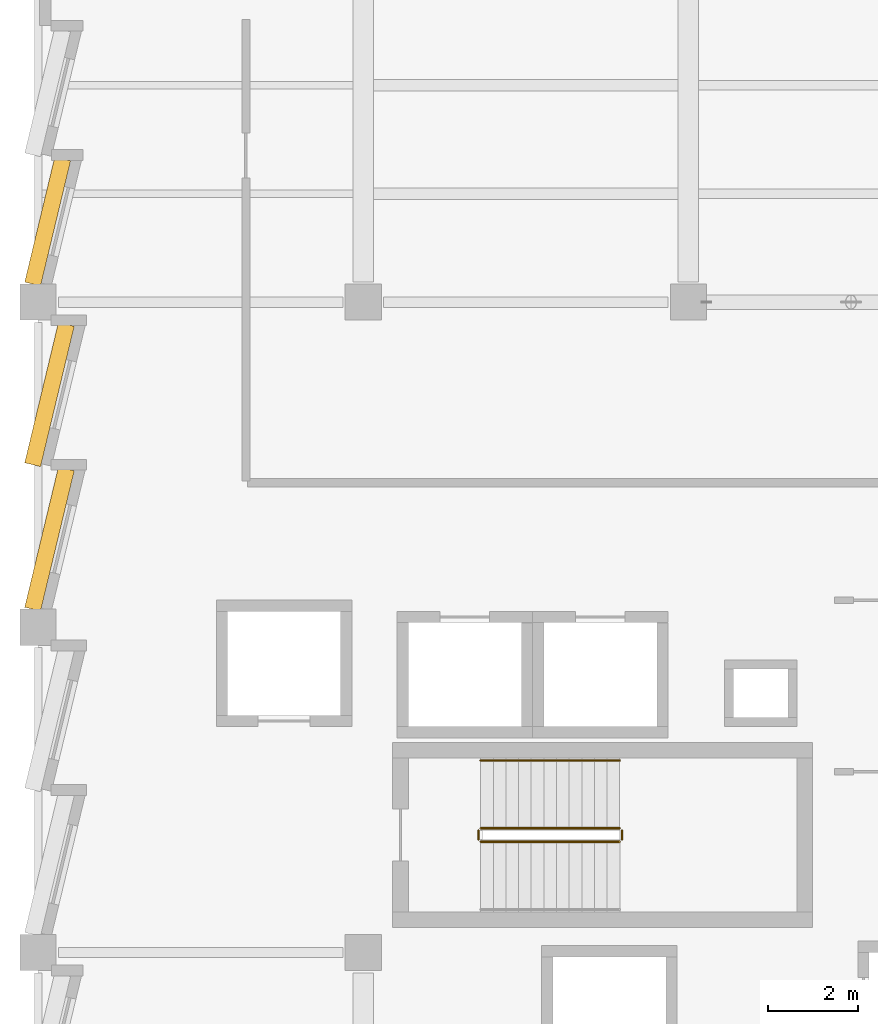
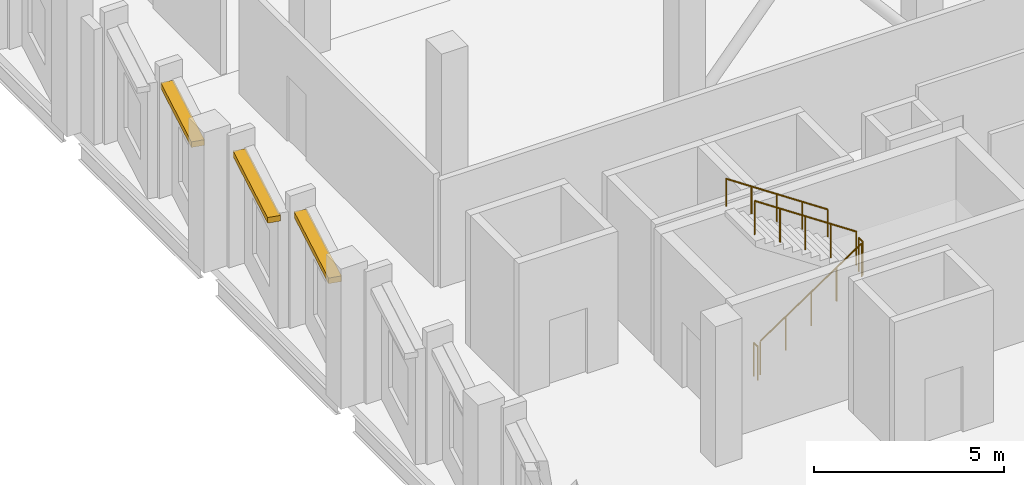
# One storey, part 106 of 123: 5 railings, 3 shading devices.
"""IFC4 building model written with IfcOpenShell, lengths in metres."""

from ifc_helpers import new_model, si_unit, direction, frame, origin, origin_2d, place, context, subcontext, project, spatial, rectangle, circle, extrude, material, layer, layer_set, type_object, element, save


model = new_model("IFC4")

# Units and contexts
model_context = context("Model", 3, precision=1e-05, world=origin(), true_north=direction((0.0, 1.0)))
body_context = subcontext(model_context, "Body", "Model", "MODEL_VIEW")
ifc_project = project(units=[si_unit("LENGTHUNIT", "METRE"), si_unit("AREAUNIT", "SQUARE_METRE"), si_unit("VOLUMEUNIT", "CUBIC_METRE"), si_unit("PLANEANGLEUNIT", "RADIAN"), si_unit("MASSUNIT", "GRAM", prefix="KILO")], contexts=[model_context])

# Site, building, storey
site_placement = place(None, origin())
site = spatial("IfcSite", under=ifc_project, at=site_placement, CompositionType="ELEMENT")
building_placement = place(site_placement, origin())
building = spatial("IfcBuilding", under=site, at=building_placement, Name="Kalmorath City Hall", CompositionType="ELEMENT")
storey_placement = place(building_placement, frame((0.0, 0.0, 10.199951171875)))
storey = spatial("IfcBuildingStorey", under=building, at=storey_placement, Name="L02", CompositionType="ELEMENT", Elevation=10.199951171875)

# Shading devices
ifc_material_1 = material(Name="Precast concrete C40/50", Category="concrete")
ifc_layer = layer(ifc_material_1, 0.179931640625)
ifc_layer_set = layer_set([ifc_layer], Name="Precast concrete C40/50")
shading_device_type = type_object("IfcShadingDeviceType", Name="Precast sawtooth brow sunshade 350", PredefinedType="USERDEFINED", material=ifc_layer_set)
for number, where, z_axis, x_axis, name in (
    (1, (0.2529296875, 23.55419921875, 3.48583984375), (0.0, 0.0, 1.0), (0.233445363856, 0.972369920398, 0.0), "L02 precast sawtooth hood #191"),
    (2, (0.2529296875, 26.75341796875, 3.48583984375), (0.0, 0.0, 1.0), (0.233445363856, 0.972369920398, 0.0), "L02 precast sawtooth hood #192"),
):
    element("IfcShadingDevice", number, at=place(storey_placement, frame(where, z_axis=z_axis, x_axis=x_axis)), inside=storey, type_object=shading_device_type, Name=name, ObjectType="SUNSHADE", PredefinedType="USERDEFINED", context=body_context, shape_type="SweptSolid", body=[
        extrude(rectangle(XDim=3.19482421875, YDim=0.360107421875, at=origin_2d()), origin(), (0.0, 0.0, 1.0), 0.179931640625),
    ])
shading_device_placement = place(storey_placement, frame((0.212158203125, 30.584228515625, 3.48583984375), z_axis=(0.0, 0.0, 1.0), x_axis=(0.233445363856, 0.972369920398, 0.0)))
element("IfcShadingDevice", 3, at=shading_device_placement, inside=storey, type_object=shading_device_type, Name="L02 precast sawtooth hood #193", ObjectType="SUNSHADE", PredefinedType="USERDEFINED", context=body_context, shape_type="SweptSolid", body=[
    extrude(rectangle(XDim=2.84521484375, YDim=0.360107421875, at=origin_2d()), origin(), (0.0, 0.0, 1.0), 0.179931640625),
])

# Railings
ifc_material_2 = material(Name="Painted steel guardrail", Category="steel")
railing_type_1 = type_object("IfcRailingType", Name="Protected stair guardrail 1100", PredefinedType="GUARDRAIL", material=ifc_material_2)
railing_1_placement = place(storey_placement, frame((9.800048828125, 16.85009765625, 0.1875)))
element("IfcRailing", 4, at=railing_1_placement, inside=storey, type_object=railing_type_1, Name="L02 ST-1 stair guard 1", PredefinedType="GUARDRAIL", context=body_context, shape_type="SweptSolid", body=[
    extrude(circle(Radius=0.02392578125, at=origin_2d()), frame((0.0, 0.0, 1.076171875), z_axis=(0.830893310487, 0.0, 0.556431762742), x_axis=(0.0, 1.0, 0.0)), (0.0, 0.0, 1.0), 3.70654296875),
    extrude(circle(Radius=0.02099609375, at=origin_2d()), origin(), (0.0, 0.0, 1.0), 1.052001953125),
    extrude(circle(Radius=0.02099609375, at=origin_2d()), frame((0.77001953125, 0.0, 0.515625)), (0.0, 0.0, 1.0), 1.052001953125),
    extrude(circle(Radius=0.02099609375, at=origin_2d()), frame((1.5400390625, 0.0, 1.03125)), (0.0, 0.0, 1.0), 1.052001953125),
    extrude(circle(Radius=0.02099609375, at=origin_2d()), frame((2.309814453125, 0.0, 1.546875)), (0.0, 0.0, 1.0), 1.052001953125),
    extrude(circle(Radius=0.02099609375, at=origin_2d()), frame((3.079833984375, 0.0, 2.0625)), (0.0, 0.0, 1.0), 1.052001953125),
])
railing_2_placement = place(storey_placement, frame((12.929931640625, 16.89990234375, 2.25)))
element("IfcRailing", 5, at=railing_2_placement, inside=storey, type_object=railing_type_1, Name="L02 ST-1 stair guard 2", PredefinedType="GUARDRAIL", context=body_context, shape_type="SweptSolid", body=[
    extrude(circle(Radius=0.02392578125, at=origin_2d()), frame((0.0, 0.0, 1.076171875), z_axis=(0.0, 1.0, 0.0), x_axis=(-1.0, 0.0, 0.0)), (0.0, 0.0, 1.0), 0.2001953125),
    extrude(circle(Radius=0.02099609375, at=origin_2d()), origin(), (0.0, 0.0, 1.0), 1.052001953125),
    extrude(circle(Radius=0.02099609375, at=origin_2d()), frame((0.0, 0.2001953125, 0.0)), (0.0, 0.0, 1.0), 1.052001953125),
])
railing_3_placement = place(storey_placement, frame((12.8798828125, 17.14990234375, 2.4375)))
element("IfcRailing", 6, at=railing_3_placement, inside=storey, type_object=railing_type_1, Name="L02 ST-1 stair guard 3", PredefinedType="GUARDRAIL", context=body_context, shape_type="SweptSolid", body=[
    extrude(circle(Radius=0.02392578125, at=origin_2d()), frame((0.0, 0.0, 1.076171875), z_axis=(-0.830893310487, 0.0, 0.556431762742), x_axis=(0.0, -1.0, 0.0)), (0.0, 0.0, 1.0), 3.70654296875),
    extrude(circle(Radius=0.02099609375, at=origin_2d()), origin(), (0.0, 0.0, 1.0), 1.052001953125),
    extrude(circle(Radius=0.02099609375, at=origin_2d()), frame((-0.77001953125, 0.0, 0.515625)), (0.0, 0.0, 1.0), 1.052001953125),
    extrude(circle(Radius=0.02099609375, at=origin_2d()), frame((-1.5400390625, 0.0, 1.03125)), (0.0, 0.0, 1.0), 1.052001953125),
    extrude(circle(Radius=0.02099609375, at=origin_2d()), frame((-2.309814453125, 0.0, 1.546875)), (0.0, 0.0, 1.0), 1.052001953125),
    extrude(circle(Radius=0.02099609375, at=origin_2d()), frame((-3.079833984375, 0.0, 2.0625)), (0.0, 0.0, 1.0), 1.052001953125),
])
railing_4_placement = place(storey_placement, frame((9.75, 16.89990234375, 0.0)))
element("IfcRailing", 7, at=railing_4_placement, inside=storey, type_object=railing_type_1, Name="L02 ST-1 stair guard 4", PredefinedType="GUARDRAIL", context=body_context, shape_type="SweptSolid", body=[
    extrude(circle(Radius=0.02392578125, at=origin_2d()), frame((0.0, 0.0, 1.076171875), z_axis=(0.0, 1.0, 0.0), x_axis=(-1.0, 0.0, 0.0)), (0.0, 0.0, 1.0), 0.2001953125),
    extrude(circle(Radius=0.02099609375, at=origin_2d()), origin(), (0.0, 0.0, 1.0), 1.052001953125),
    extrude(circle(Radius=0.02099609375, at=origin_2d()), frame((0.0, 0.2001953125, 0.0)), (0.0, 0.0, 1.0), 1.052001953125),
])
ifc_material_3 = material(Name="Brushed stainless steel handrail", Category="steel")
railing_type_2 = type_object("IfcRailingType", Name="Stair pitch handrail 900", PredefinedType="HANDRAIL", material=ifc_material_3)
railing_5_placement = place(storey_placement, frame((12.8798828125, 18.64990234375, 2.4375)))
element("IfcRailing", 8, at=railing_5_placement, inside=storey, type_object=railing_type_2, Name="L02 ST-1 stair handrail 2", PredefinedType="HANDRAIL", context=body_context, shape_type="SweptSolid", body=[
    extrude(circle(Radius=0.02392578125, at=origin_2d()), frame((0.0, 0.0, 0.8759765625), z_axis=(-0.830893310487, 0.0, 0.556431762742), x_axis=(0.0, -1.0, 0.0)), (0.0, 0.0, 1.0), 3.70654296875),
    extrude(circle(Radius=0.02099609375, at=origin_2d()), origin(), (0.0, 0.0, 1.0), 0.851806640625),
    extrude(circle(Radius=0.02099609375, at=origin_2d()), frame((-0.77001953125, 0.0, 0.515625)), (0.0, 0.0, 1.0), 0.851806640625),
    extrude(circle(Radius=0.02099609375, at=origin_2d()), frame((-1.5400390625, 0.0, 1.03125)), (0.0, 0.0, 1.0), 0.851806640625),
    extrude(circle(Radius=0.02099609375, at=origin_2d()), frame((-2.309814453125, 0.0, 1.546875)), (0.0, 0.0, 1.0), 0.851806640625),
    extrude(circle(Radius=0.02099609375, at=origin_2d()), frame((-3.079833984375, 0.0, 2.0625)), (0.0, 0.0, 1.0), 0.851806640625),
])

save(model, "model.ifc")
